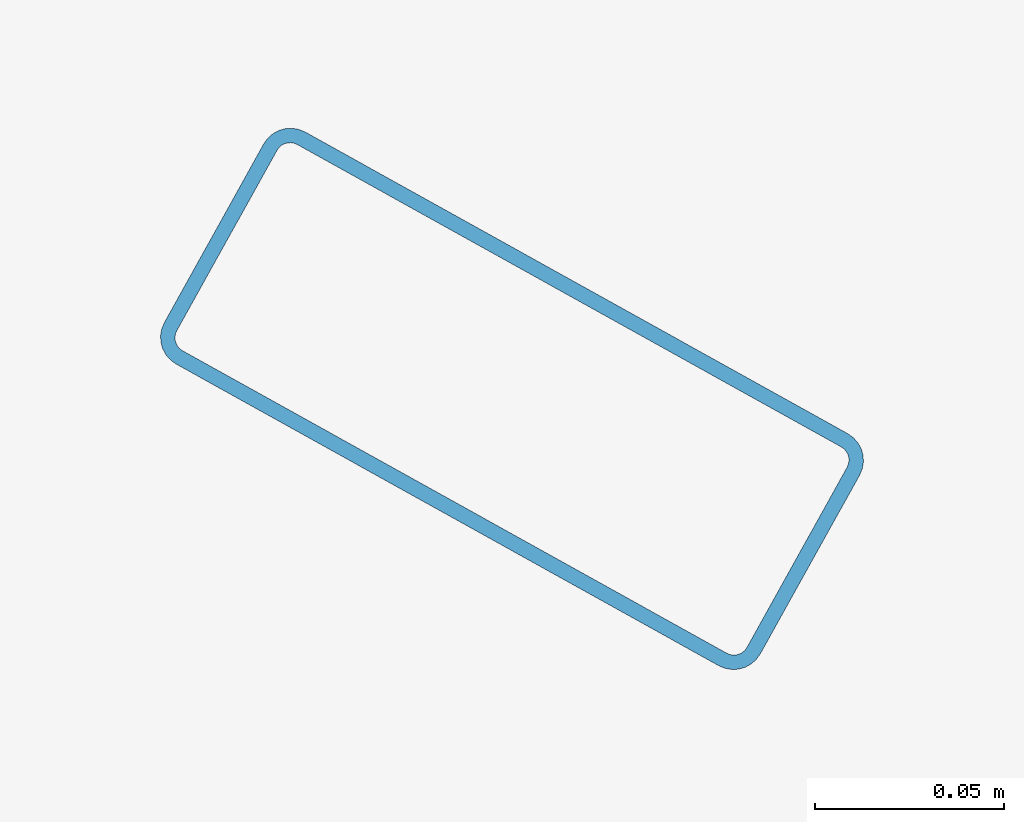
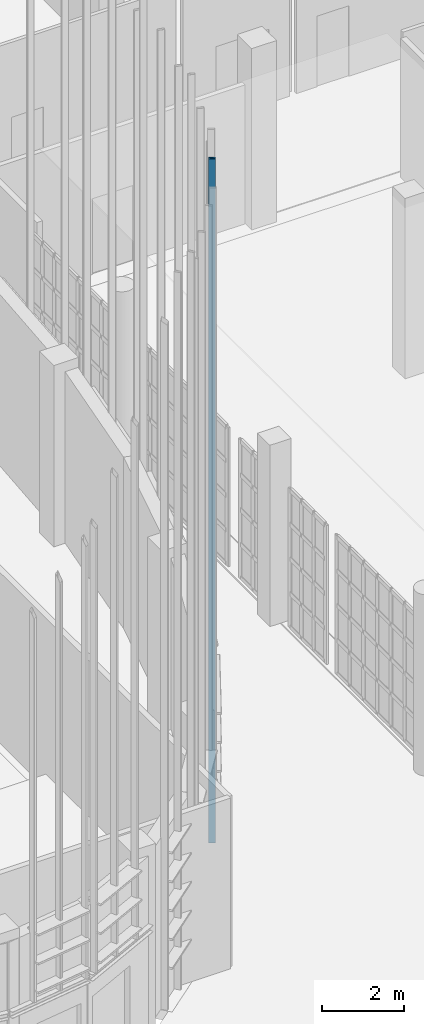
# One storey, part 205 of 372: 1 member.
"""IFC4 building model written with IfcOpenShell, lengths in metres."""

from ifc_helpers import new_model, si_unit, direction, frame, origin, origin_2d, place, context, subcontext, project, spatial, hollow_rectangle, extrude, material, material_profile, profile_set, type_object, element, save


model = new_model("IFC4")

# Units and contexts
model_context = context("Model", 3, precision=1e-05, world=origin(), true_north=direction((0.0, 1.0)))
body_context = subcontext(model_context, "Body", "Model", "MODEL_VIEW")
ifc_project = project(units=[si_unit("LENGTHUNIT", "METRE"), si_unit("AREAUNIT", "SQUARE_METRE"), si_unit("VOLUMEUNIT", "CUBIC_METRE"), si_unit("PLANEANGLEUNIT", "RADIAN"), si_unit("MASSUNIT", "GRAM", prefix="KILO")], contexts=[model_context])

# Site, building, storey
site_placement = place(None, origin())
site = spatial("IfcSite", under=ifc_project, at=site_placement, CompositionType="ELEMENT")
building_placement = place(site_placement, origin())
building = spatial("IfcBuilding", under=site, at=building_placement, Name="Kaelora Sail Theatre", CompositionType="ELEMENT")
storey_placement = place(building_placement, origin())
storey = spatial("IfcBuildingStorey", under=building, at=storey_placement, Name="L00", CompositionType="ELEMENT", Elevation=0.0)

# Member
ifc_material = material(Name="Anodised aluminium 6063-T6", Category="aluminium")
ifc_material_profile = material_profile(ifc_material, hollow_rectangle(XDim=0.070068359375, YDim=0.179931640625, WallThickness=0.00390625, InnerFilletRadius=0.00390625, OuterFilletRadius=0.008056640625, at=origin_2d()), Name="ALU-MULL 70x180x4")
ifc_profile_set = profile_set([ifc_material_profile], Name="Anodised aluminium 6063-T6")
member_type = type_object("IfcMemberType", Name="ARC-MEM-PST-160", PredefinedType="POST", material=ifc_profile_set)
member_placement = place(storey_placement, frame((100.69921875, 38.615966796875, 0.0), z_axis=(0.0, 0.0, 1.0), x_axis=(-0.485877807712, -0.874026747859, 0.0)))
element("IfcMember", 1, at=member_placement, inside=storey, type_object=member_type, Name="Studio Theatre Sail Drum solar louvre vertical support post C6-2", PredefinedType="POST", context=body_context, shape_type="SweptSolid", body=[
    extrude(hollow_rectangle(XDim=0.070068359375, YDim=0.179931640625, WallThickness=0.00390625, InnerFilletRadius=0.00390625, OuterFilletRadius=0.008056640625, at=origin_2d()), origin(), (0.0, 0.0, 1.0), 20.368896484375),
])

save(model, "model.ifc")
